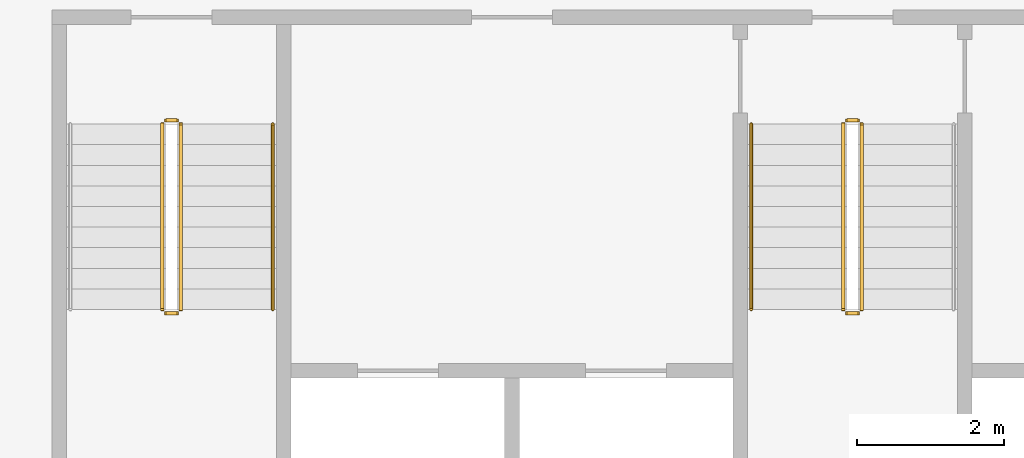
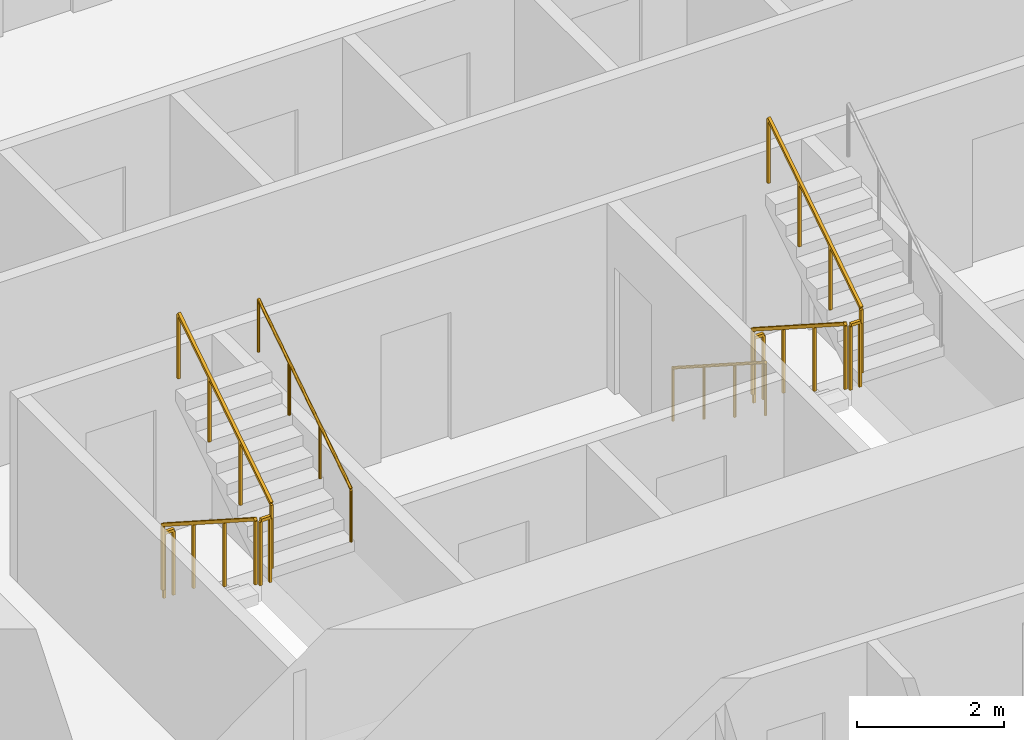
# One storey, part 14 of 16: 10 railings.
"""IFC4 building model written with IfcOpenShell, lengths in metres."""

from ifc_helpers import new_model, si_unit, direction, frame, origin, origin_2d, place, context, subcontext, project, spatial, rectangle, circle, extrude, material, type_object, element, save


model = new_model("IFC4")

# Units and contexts
model_context = context("Model", 3, precision=1e-05, world=origin(), true_north=direction((0.0, 1.0)))
body_context = subcontext(model_context, "Body", "Model", "MODEL_VIEW")
ifc_project = project(units=[si_unit("LENGTHUNIT", "METRE"), si_unit("AREAUNIT", "SQUARE_METRE"), si_unit("VOLUMEUNIT", "CUBIC_METRE"), si_unit("PLANEANGLEUNIT", "RADIAN"), si_unit("MASSUNIT", "GRAM", prefix="KILO")], contexts=[model_context])

# Site, building, storey
site_placement = place(None, origin())
site = spatial("IfcSite", under=ifc_project, at=site_placement, CompositionType="ELEMENT")
building_placement = place(site_placement, origin())
building = spatial("IfcBuilding", under=site, at=building_placement, Name="Mangrove Gate Tower", CompositionType="ELEMENT")
storey_placement = place(building_placement, frame((0.0, 0.0, 105.5)))
storey = spatial("IfcBuildingStorey", under=building, at=storey_placement, Name="L26", CompositionType="ELEMENT", Elevation=105.5)

# Railings
ifc_material_1 = material(Name="Stainless steel 316", Category="steel")
railing_type_1 = type_object("IfcRailingType", Name="Core stair guard 1100", PredefinedType="GUARDRAIL", material=ifc_material_1)
railing_1_placement = place(storey_placement, frame((-9.39990234375, -4.64990234375, 0.179931640625)))
element("IfcRailing", 1, at=railing_1_placement, inside=storey, type_object=railing_type_1, Name="L26 ST1 stair guard 1", PredefinedType="GUARDRAIL", context=body_context, shape_type="SweptSolid", body=[
    extrude(rectangle(XDim=0.048095703125, YDim=0.048095703125, at=origin_2d()), frame((0.0, 0.0, 1.076171875), z_axis=(0.0, -0.841162588446, 0.540782303519), x_axis=(1.0, 0.0, 0.0)), (0.0, 0.0, 1.0), 2.995849609375),
    extrude(rectangle(XDim=0.0419921875, YDim=0.0419921875, at=origin_2d()), origin(), (0.0, 0.0, 1.0), 1.052001953125),
    extrude(rectangle(XDim=0.0419921875, YDim=0.0419921875, at=origin_2d()), frame((0.0, -0.840087890625, 0.5400390625)), (0.0, 0.0, 1.0), 1.052001953125),
    extrude(rectangle(XDim=0.0419921875, YDim=0.0419921875, at=origin_2d()), frame((0.0, -1.679931640625, 1.080078125)), (0.0, 0.0, 1.0), 1.052001953125),
    extrude(rectangle(XDim=0.0419921875, YDim=0.0419921875, at=origin_2d()), frame((0.0, -2.52001953125, 1.6201171875)), (0.0, 0.0, 1.0), 1.052001953125),
])
railing_2_placement = place(storey_placement, frame((-9.35009765625, -7.219970703125, 1.800048828125)))
element("IfcRailing", 2, at=railing_2_placement, inside=storey, type_object=railing_type_1, Name="L26 ST1 stair guard 2", PredefinedType="GUARDRAIL", context=body_context, shape_type="SweptSolid", body=[
    extrude(rectangle(XDim=0.048095703125, YDim=0.048095703125, at=origin_2d()), frame((0.0, 0.0, 1.076171875), z_axis=(1.0, 0.0, 0.0), x_axis=(0.0, 1.0, 0.0)), (0.0, 0.0, 1.0), 0.150146484375),
    extrude(rectangle(XDim=0.0419921875, YDim=0.0419921875, at=origin_2d()), origin(), (0.0, 0.0, 1.0), 1.052001953125),
    extrude(rectangle(XDim=0.0419921875, YDim=0.0419921875, at=origin_2d()), frame((0.150146484375, 0.0, 0.0)), (0.0, 0.0, 1.0), 1.052001953125),
])
railing_3_placement = place(storey_placement, frame((-9.14990234375, -7.169921875, 1.97998046875)))
element("IfcRailing", 3, at=railing_3_placement, inside=storey, type_object=railing_type_1, Name="L26 ST1 stair guard 3", PredefinedType="GUARDRAIL", context=body_context, shape_type="SweptSolid", body=[
    extrude(rectangle(XDim=0.048095703125, YDim=0.048095703125, at=origin_2d()), frame((0.0, 0.0, 1.076171875), z_axis=(0.0, 0.841162588446, 0.540782303519), x_axis=(-1.0, 0.0, 0.0)), (0.0, 0.0, 1.0), 2.995849609375),
    extrude(rectangle(XDim=0.0419921875, YDim=0.0419921875, at=origin_2d()), origin(), (0.0, 0.0, 1.0), 1.052001953125),
    extrude(rectangle(XDim=0.0419921875, YDim=0.0419921875, at=origin_2d()), frame((0.0, 0.840087890625, 0.5400390625)), (0.0, 0.0, 1.0), 1.052001953125),
    extrude(rectangle(XDim=0.0419921875, YDim=0.0419921875, at=origin_2d()), frame((0.0, 1.679931640625, 1.080078125)), (0.0, 0.0, 1.0), 1.052001953125),
    extrude(rectangle(XDim=0.0419921875, YDim=0.0419921875, at=origin_2d()), frame((0.0, 2.52001953125, 1.6201171875)), (0.0, 0.0, 1.0), 1.052001953125),
])
railing_4_placement = place(storey_placement, frame((-9.35009765625, -4.60009765625, 0.0)))
element("IfcRailing", 4, at=railing_4_placement, inside=storey, type_object=railing_type_1, Name="L26 ST1 stair guard 4", PredefinedType="GUARDRAIL", context=body_context, shape_type="SweptSolid", body=[
    extrude(rectangle(XDim=0.048095703125, YDim=0.048095703125, at=origin_2d()), frame((0.0, 0.0, 1.076171875), z_axis=(1.0, 0.0, 0.0), x_axis=(0.0, 1.0, 0.0)), (0.0, 0.0, 1.0), 0.150146484375),
    extrude(rectangle(XDim=0.0419921875, YDim=0.0419921875, at=origin_2d()), origin(), (0.0, 0.0, 1.0), 1.052001953125),
    extrude(rectangle(XDim=0.0419921875, YDim=0.0419921875, at=origin_2d()), frame((0.150146484375, 0.0, 0.0)), (0.0, 0.0, 1.0), 1.052001953125),
])
railing_5_placement = place(storey_placement, frame((-0.14990234375, -4.64990234375, 0.179931640625)))
element("IfcRailing", 5, at=railing_5_placement, inside=storey, type_object=railing_type_1, Name="L26 ST2 stair guard 1", PredefinedType="GUARDRAIL", context=body_context, shape_type="SweptSolid", body=[
    extrude(rectangle(XDim=0.048095703125, YDim=0.048095703125, at=origin_2d()), frame((0.0, 0.0, 1.076171875), z_axis=(0.0, -0.841162588446, 0.540782303519), x_axis=(1.0, 0.0, 0.0)), (0.0, 0.0, 1.0), 2.995849609375),
    extrude(rectangle(XDim=0.0419921875, YDim=0.0419921875, at=origin_2d()), origin(), (0.0, 0.0, 1.0), 1.052001953125),
    extrude(rectangle(XDim=0.0419921875, YDim=0.0419921875, at=origin_2d()), frame((0.0, -0.840087890625, 0.5400390625)), (0.0, 0.0, 1.0), 1.052001953125),
    extrude(rectangle(XDim=0.0419921875, YDim=0.0419921875, at=origin_2d()), frame((0.0, -1.679931640625, 1.080078125)), (0.0, 0.0, 1.0), 1.052001953125),
    extrude(rectangle(XDim=0.0419921875, YDim=0.0419921875, at=origin_2d()), frame((0.0, -2.52001953125, 1.6201171875)), (0.0, 0.0, 1.0), 1.052001953125),
])
railing_6_placement = place(storey_placement, frame((-0.10009765625, -7.219970703125, 1.800048828125)))
element("IfcRailing", 6, at=railing_6_placement, inside=storey, type_object=railing_type_1, Name="L26 ST2 stair guard 2", PredefinedType="GUARDRAIL", context=body_context, shape_type="SweptSolid", body=[
    extrude(rectangle(XDim=0.048095703125, YDim=0.048095703125, at=origin_2d()), frame((0.0, 0.0, 1.076171875), z_axis=(1.0, 0.0, 0.0), x_axis=(0.0, 1.0, 0.0)), (0.0, 0.0, 1.0), 0.150146484375),
    extrude(rectangle(XDim=0.0419921875, YDim=0.0419921875, at=origin_2d()), origin(), (0.0, 0.0, 1.0), 1.052001953125),
    extrude(rectangle(XDim=0.0419921875, YDim=0.0419921875, at=origin_2d()), frame((0.150146484375, 0.0, 0.0)), (0.0, 0.0, 1.0), 1.052001953125),
])
railing_7_placement = place(storey_placement, frame((0.10009765625, -7.169921875, 1.97998046875)))
element("IfcRailing", 7, at=railing_7_placement, inside=storey, type_object=railing_type_1, Name="L26 ST2 stair guard 3", PredefinedType="GUARDRAIL", context=body_context, shape_type="SweptSolid", body=[
    extrude(rectangle(XDim=0.048095703125, YDim=0.048095703125, at=origin_2d()), frame((0.0, 0.0, 1.076171875), z_axis=(0.0, 0.841162588446, 0.540782303519), x_axis=(-1.0, 0.0, 0.0)), (0.0, 0.0, 1.0), 2.995849609375),
    extrude(rectangle(XDim=0.0419921875, YDim=0.0419921875, at=origin_2d()), origin(), (0.0, 0.0, 1.0), 1.052001953125),
    extrude(rectangle(XDim=0.0419921875, YDim=0.0419921875, at=origin_2d()), frame((0.0, 0.840087890625, 0.5400390625)), (0.0, 0.0, 1.0), 1.052001953125),
    extrude(rectangle(XDim=0.0419921875, YDim=0.0419921875, at=origin_2d()), frame((0.0, 1.679931640625, 1.080078125)), (0.0, 0.0, 1.0), 1.052001953125),
    extrude(rectangle(XDim=0.0419921875, YDim=0.0419921875, at=origin_2d()), frame((0.0, 2.52001953125, 1.6201171875)), (0.0, 0.0, 1.0), 1.052001953125),
])
railing_8_placement = place(storey_placement, frame((-0.10009765625, -4.60009765625, 0.0)))
element("IfcRailing", 8, at=railing_8_placement, inside=storey, type_object=railing_type_1, Name="L26 ST2 stair guard 4", PredefinedType="GUARDRAIL", context=body_context, shape_type="SweptSolid", body=[
    extrude(rectangle(XDim=0.048095703125, YDim=0.048095703125, at=origin_2d()), frame((0.0, 0.0, 1.076171875), z_axis=(1.0, 0.0, 0.0), x_axis=(0.0, 1.0, 0.0)), (0.0, 0.0, 1.0), 0.150146484375),
    extrude(rectangle(XDim=0.0419921875, YDim=0.0419921875, at=origin_2d()), origin(), (0.0, 0.0, 1.0), 1.052001953125),
    extrude(rectangle(XDim=0.0419921875, YDim=0.0419921875, at=origin_2d()), frame((0.150146484375, 0.0, 0.0)), (0.0, 0.0, 1.0), 1.052001953125),
])
ifc_material_2 = material(Name="Stainless steel 316", Category="steel")
railing_type_2 = type_object("IfcRailingType", Name="Core stair handrail 900", PredefinedType="HANDRAIL", material=ifc_material_2)
railing_9_placement = place(storey_placement, frame((-7.89990234375, -7.169921875, 1.97998046875)))
element("IfcRailing", 9, at=railing_9_placement, inside=storey, type_object=railing_type_2, Name="L26 ST1 stair handrail 2", PredefinedType="HANDRAIL", context=body_context, shape_type="SweptSolid", body=[
    extrude(circle(Radius=0.02392578125, at=origin_2d()), frame((0.0, 0.0, 0.8759765625), z_axis=(0.0, 0.841162588446, 0.540782303519), x_axis=(-1.0, 0.0, 0.0)), (0.0, 0.0, 1.0), 2.995849609375),
    extrude(circle(Radius=0.02099609375, at=origin_2d()), origin(), (0.0, 0.0, 1.0), 0.851806640625),
    extrude(circle(Radius=0.02099609375, at=origin_2d()), frame((0.0, 0.840087890625, 0.5400390625)), (0.0, 0.0, 1.0), 0.851806640625),
    extrude(circle(Radius=0.02099609375, at=origin_2d()), frame((0.0, 1.679931640625, 1.080078125)), (0.0, 0.0, 1.0), 0.851806640625),
    extrude(circle(Radius=0.02099609375, at=origin_2d()), frame((0.0, 2.52001953125, 1.6201171875)), (0.0, 0.0, 1.0), 0.851806640625),
])
railing_10_placement = place(storey_placement, frame((-1.39990234375, -4.64990234375, 0.179931640625)))
element("IfcRailing", 10, at=railing_10_placement, inside=storey, type_object=railing_type_2, Name="L26 ST2 stair handrail 1", PredefinedType="HANDRAIL", context=body_context, shape_type="SweptSolid", body=[
    extrude(circle(Radius=0.02392578125, at=origin_2d()), frame((0.0, 0.0, 0.8759765625), z_axis=(0.0, -0.841162588446, 0.540782303519), x_axis=(1.0, 0.0, 0.0)), (0.0, 0.0, 1.0), 2.995849609375),
    extrude(circle(Radius=0.02099609375, at=origin_2d()), origin(), (0.0, 0.0, 1.0), 0.851806640625),
    extrude(circle(Radius=0.02099609375, at=origin_2d()), frame((0.0, -0.840087890625, 0.5400390625)), (0.0, 0.0, 1.0), 0.851806640625),
    extrude(circle(Radius=0.02099609375, at=origin_2d()), frame((0.0, -1.679931640625, 1.080078125)), (0.0, 0.0, 1.0), 0.851806640625),
    extrude(circle(Radius=0.02099609375, at=origin_2d()), frame((0.0, -2.52001953125, 1.6201171875)), (0.0, 0.0, 1.0), 0.851806640625),
])

save(model, "model.ifc")
